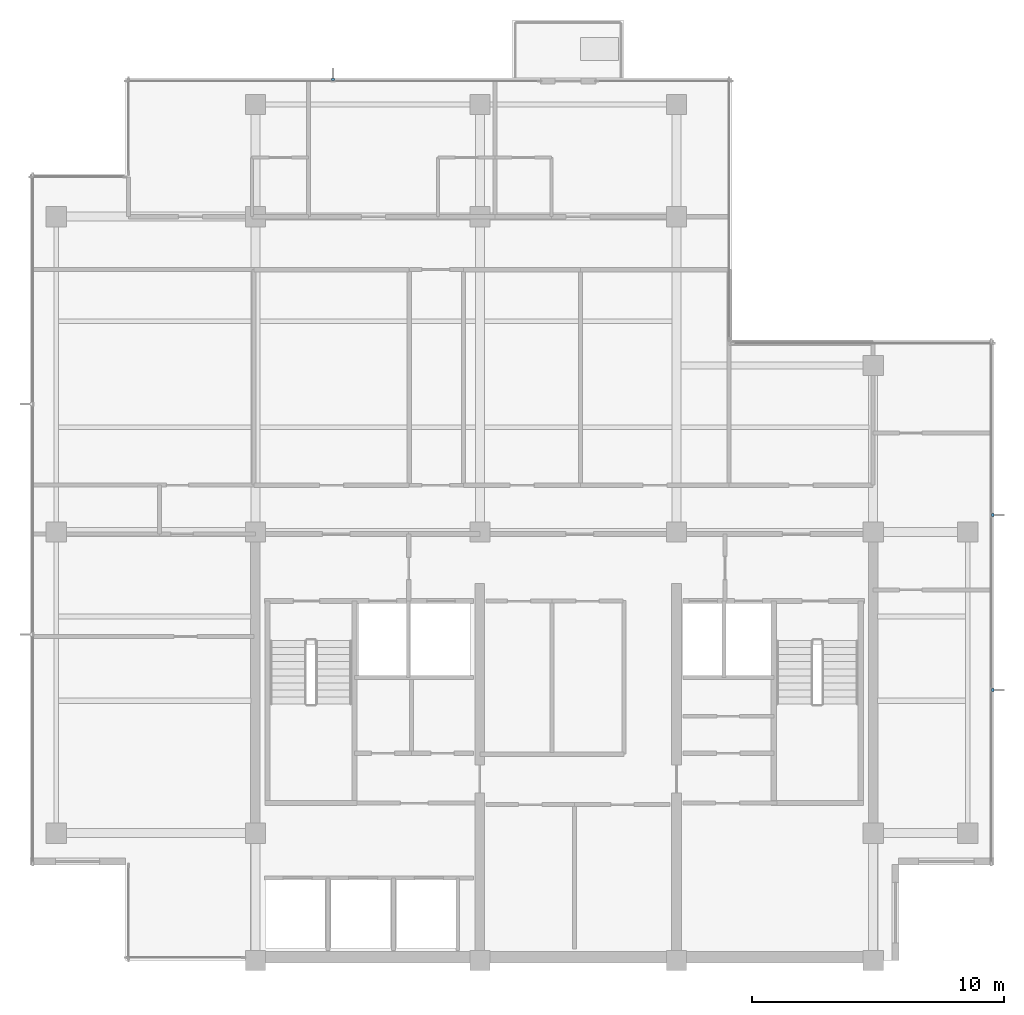
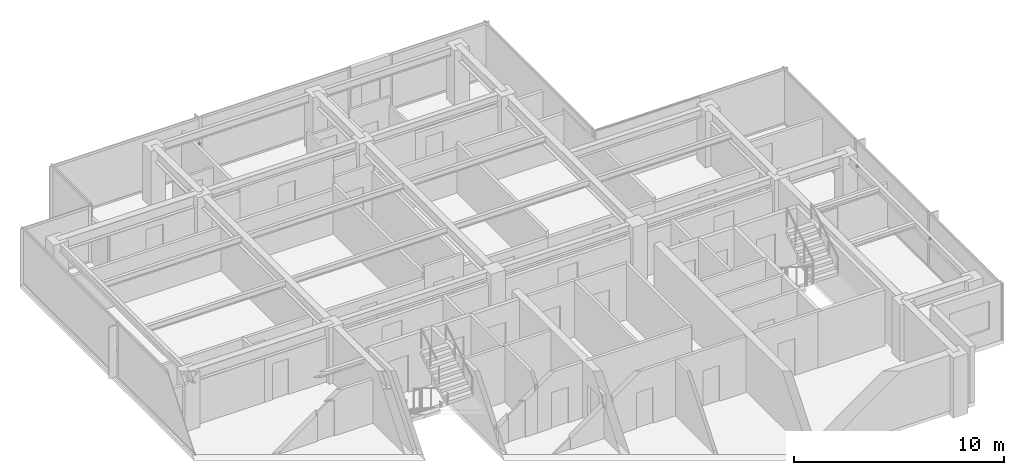
# One storey, part 10 of 11: 3 discrete accessories.
"""IFC4 building model written with IfcOpenShell, lengths in metres."""

from ifc_helpers import new_model, si_unit, direction, frame, origin, place, context, subcontext, project, spatial, polyline, outline, extrude, material, type_object, element, save


model = new_model("IFC4")

# Units and contexts
model_context = context("Model", 3, precision=1e-05, world=origin(), true_north=direction((0.0, 1.0)))
body_context = subcontext(model_context, "Body", "Model", "MODEL_VIEW")
ifc_project = project(units=[si_unit("LENGTHUNIT", "METRE"), si_unit("AREAUNIT", "SQUARE_METRE"), si_unit("VOLUMEUNIT", "CUBIC_METRE"), si_unit("PLANEANGLEUNIT", "RADIAN"), si_unit("MASSUNIT", "GRAM", prefix="KILO")], contexts=[model_context])

# Site, building, storey
site_placement = place(None, origin())
site = spatial("IfcSite", under=ifc_project, at=site_placement, CompositionType="ELEMENT")
building_placement = place(site_placement, origin())
building = spatial("IfcBuilding", under=site, at=building_placement, Name="Qalmaran Belvedere Hotel", CompositionType="ELEMENT")
storey_placement = place(building_placement, frame((0.0, 0.0, 270.39990234375)))
storey = spatial("IfcBuildingStorey", under=building, at=storey_placement, Name="L70", CompositionType="ELEMENT", Elevation=270.39990234375)

# Discrete accessories
ifc_material = material(Name="Stainless Steel 1.4401", Category="steel")
discrete_accessory_type = type_object("IfcDiscreteAccessoryType", Name="BRK-FIN-SS316", PredefinedType="BRACKET", material=ifc_material)
discrete_accessory_1_placement = place(storey_placement, frame((0.0, 0.0, 1.580078125)))
element("IfcDiscreteAccessory", 1, at=discrete_accessory_1_placement, inside=storey, type_object=discrete_accessory_type, Name="L70 Fin Bracket 1", PredefinedType="BRACKET", context=body_context, shape_type="SweptSolid", body=[
    extrude(outline(polyline([(49.4951171875, 14.17822265625), (49.58740234375, 14.17822265625), (49.58740234375, 14.288330078125), (49.4951171875, 14.288330078125), (49.4951171875, 14.17822265625)])), origin(), (0.0, 0.0, 1.0), 0.14013671875),
])
discrete_accessory_2_placement = place(storey_placement, frame((0.0, 0.0, 1.580078125)))
element("IfcDiscreteAccessory", 2, at=discrete_accessory_2_placement, inside=storey, type_object=discrete_accessory_type, Name="L70 Fin Bracket 2", PredefinedType="BRACKET", context=body_context, shape_type="SweptSolid", body=[
    extrude(outline(polyline([(49.4951171875, 21.11181640625), (49.58740234375, 21.11181640625), (49.58740234375, 21.2216796875), (49.4951171875, 21.2216796875), (49.4951171875, 21.11181640625)])), origin(), (0.0, 0.0, 1.0), 0.14013671875),
])
discrete_accessory_3_placement = place(storey_placement, frame((0.0, 0.0, 1.580078125)))
element("IfcDiscreteAccessory", 3, at=discrete_accessory_3_placement, inside=storey, type_object=discrete_accessory_type, Name="L70 Fin Bracket 1", PredefinedType="BRACKET", context=body_context, shape_type="SweptSolid", body=[
    extrude(outline(polyline([(23.429931640625, 38.39501953125), (23.429931640625, 38.487548828125), (23.320068359375, 38.487548828125), (23.320068359375, 38.39501953125), (23.429931640625, 38.39501953125)])), origin(), (0.0, 0.0, 1.0), 0.14013671875),
])

save(model, "model.ifc")
